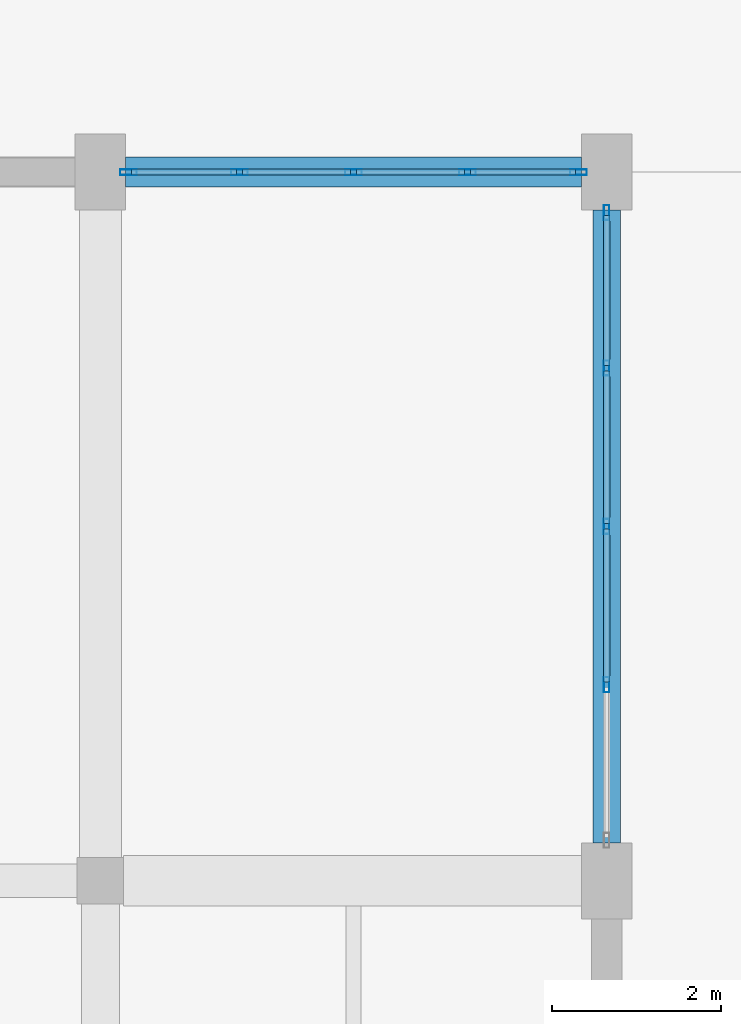
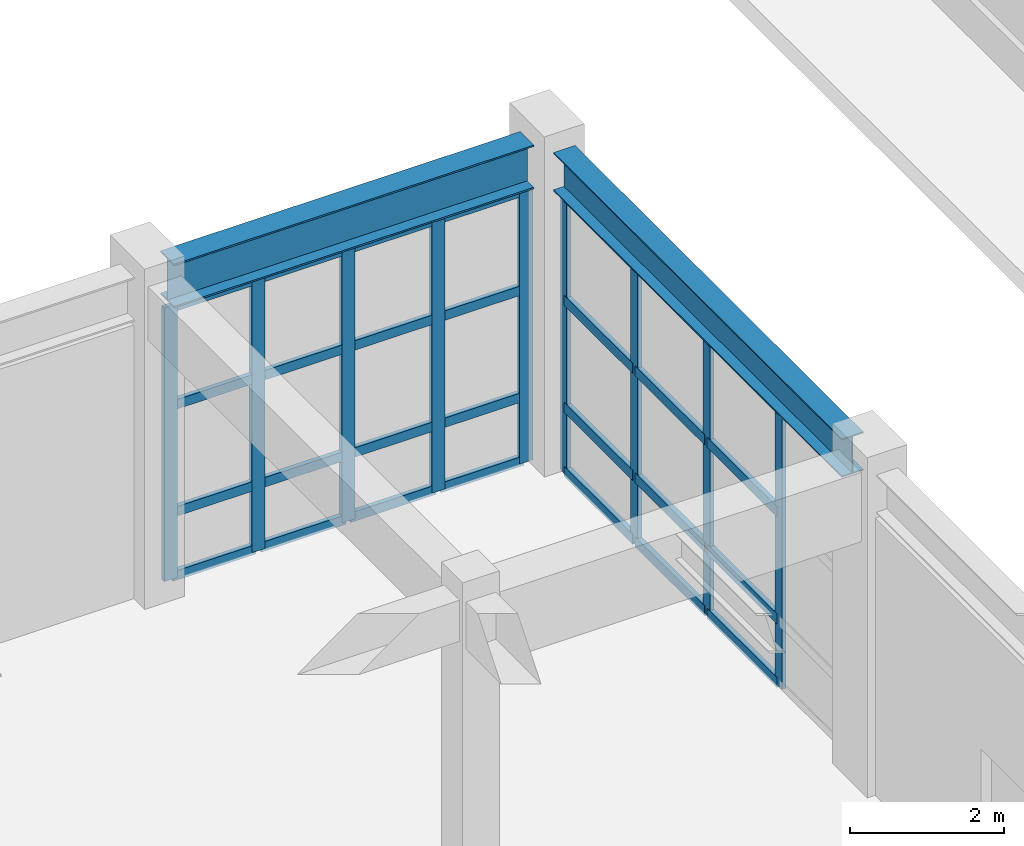
# One storey, part 42 of 91: 37 members, 2 beams, 2 elements without a shape of their own.
"""IFC4 building model written with IfcOpenShell, lengths in metres."""

import ifcopenshell
import ifcopenshell.guid

model = None  # the IFC model being written
_history = None  # IfcOwnerHistory: only IFC2X3 demands one
_inside = {}  # id of a spatial element -> (the spatial element, [elements in it])
_under = {}  # id of a project, library or spatial element -> (it, [spatial elements below it])
_declared = {}  # id of a project -> (the project, [libraries it declares])
_typed = {}  # id of a type object -> (the type object, [elements of that type])
_made_of = {}  # id of a material, layer set ... -> (it, [elements and type objects made of it])


def new_model(schema):
    """Start an empty IFC model of exactly this schema.

    Asked for "IFC4X3", IfcOpenShell would pick the latest addendum, in which some entities
    have other attributes; the version numbers below select the first issue.
    IFC2X3 requires an IfcOwnerHistory on every rooted entity: one is made here for all.
    """
    global model, _history
    if schema == "IFC4X3":
        model = ifcopenshell.file(schema_version=(4, 3, 0, 0))
    else:
        model = ifcopenshell.file(schema=schema)
    _inside.clear()
    _under.clear()
    _declared.clear()
    _typed.clear()
    _made_of.clear()
    _history = None
    if model.schema == "IFC2X3":
        org = make("IfcOrganization", Name="unknown")
        user = make(
            "IfcPersonAndOrganization",
            ThePerson=make("IfcPerson", FamilyName="unknown"),
            TheOrganization=org,
        )
        app = make(
            "IfcApplication",
            ApplicationDeveloper=org,
            Version="unknown",
            ApplicationFullName="unknown",
            ApplicationIdentifier="unknown",
        )
        _history = make(
            "IfcOwnerHistory",
            OwningUser=user,
            OwningApplication=app,
            ChangeAction="ADDED",
            CreationDate=0,
        )
    return model


def make(cls, **values):
    """One entity of the class cls with the attributes given. An attribute that is None is left unset."""
    return model.create_entity(
        cls, **{name: value for name, value in values.items() if value is not None}
    )


def rooted(cls, **values):
    """An entity with a GlobalId (a new one), such as an element, a storey or a relation."""
    return make(cls, GlobalId=ifcopenshell.guid.new(), OwnerHistory=_history, **values)


def si_unit(unit_type, name, prefix=None):
    """IfcSIUnit, for example si_unit("LENGTHUNIT", "METRE", prefix="MILLI")."""
    return make("IfcSIUnit", UnitType=unit_type, Prefix=prefix, Name=name)


def assignment(units):
    """IfcUnitAssignment: the units of a project."""
    return None if units is None else make("IfcUnitAssignment", Units=units)


def point(xyz):
    """IfcCartesianPoint."""
    return None if xyz is None else make("IfcCartesianPoint", Coordinates=xyz)


def direction(xyz):
    """IfcDirection."""
    return None if xyz is None else make("IfcDirection", DirectionRatios=xyz)


def frame(location, z_axis=None, x_axis=None):
    """IfcAxis2Placement3D, a coordinate frame: its origin and axes. An axis left out is left unset."""
    return make(
        "IfcAxis2Placement3D",
        Location=point(location),
        Axis=direction(z_axis),
        RefDirection=direction(x_axis),
    )


def frame_2d(location, x_axis=None):
    """IfcAxis2Placement2D, a coordinate frame in the plane: its origin and x axis."""
    return make(
        "IfcAxis2Placement2D", Location=point(location), RefDirection=direction(x_axis)
    )


def origin():
    """The frame at (0, 0, 0) with its axes left unset."""
    return frame((0.0, 0.0, 0.0))


def origin_2d():
    """The frame at (0, 0) in the plane with its x axis left unset."""
    return frame_2d((0.0, 0.0))


def place(relative_to, where):
    """IfcLocalPlacement: puts the frame where relative to a parent placement (None: the world)."""
    return make(
        "IfcLocalPlacement", PlacementRelTo=relative_to, RelativePlacement=where
    )


def context(
    kind, dimensions, precision=None, world=None, true_north=None, identifier=None
):
    """IfcGeometricRepresentationContext, for example the 3D "Model" context."""
    return make(
        "IfcGeometricRepresentationContext",
        ContextIdentifier=identifier,
        ContextType=kind,
        CoordinateSpaceDimension=dimensions,
        Precision=precision,
        WorldCoordinateSystem=world,
        TrueNorth=true_north,
    )


def subcontext(parent, identifier, kind, view, scale=None):
    """IfcGeometricRepresentationSubContext, for example "Body" below "Model"."""
    return make(
        "IfcGeometricRepresentationSubContext",
        ContextIdentifier=identifier,
        ContextType=kind,
        ParentContext=parent,
        TargetScale=scale,
        TargetView=view,
    )


def project(units=None, contexts=None):
    """IfcProject with its units and contexts."""
    return rooted(
        "IfcProject",
        Name="project",
        RepresentationContexts=contexts,
        UnitsInContext=assignment(units),
    )


def spatial(cls, under=None, at=None, **own):
    """A site, building, storey or space (cls), placed at a placement, below another one or the project."""
    s = rooted(cls, ObjectPlacement=at, **own)
    if under is not None:
        _under.setdefault(under.id(), (under, []))[1].append(s)
    return s


def profile(cls, at=None, kind="AREA", **sizes):
    """A parametric profile (cls). Its sizes go by their IFC names, for example OverallWidth=200.0."""
    return make(cls, ProfileType=kind, Position=at, **sizes)


def hollow_rectangle(**sizes):
    """IfcRectangleHollowProfileDef."""
    return profile("IfcRectangleHollowProfileDef", **sizes)


def i_section(**sizes):
    """IfcIShapeProfileDef."""
    return profile("IfcIShapeProfileDef", **sizes)


def extrude(swept, where, along, depth):
    """IfcExtrudedAreaSolid: the profile swept, set in the frame where, extruded along a direction by depth."""
    return make(
        "IfcExtrudedAreaSolid",
        SweptArea=swept,
        Position=where,
        ExtrudedDirection=direction(along),
        Depth=depth,
    )


def shape(context_of_items, identifier, shape_type, items):
    """IfcShapeRepresentation: the items that make up one representation, for example the "Body"."""
    return make(
        "IfcShapeRepresentation",
        ContextOfItems=context_of_items,
        RepresentationIdentifier=identifier,
        RepresentationType=shape_type,
        Items=items,
    )


def material(Name=None, Category=None):
    """IfcMaterial."""
    return make("IfcMaterial", Name=Name, Category=Category)


def layer(
    of_material, thickness, ventilated=None, Name=None, Category=None, Priority=None
):
    """IfcMaterialLayer: one layer of a wall or slab, of a material (None: an air gap)."""
    return make(
        "IfcMaterialLayer",
        Material=of_material,
        LayerThickness=thickness,
        IsVentilated=ventilated,
        Name=Name,
        Category=Category,
        Priority=Priority,
    )


def layer_set(layers, Name=None):
    """IfcMaterialLayerSet."""
    return make("IfcMaterialLayerSet", MaterialLayers=layers, LayerSetName=Name)


def material_profile(
    of_material, cross_section, Name=None, Category=None, Priority=None
):
    """IfcMaterialProfile: a cross section and its material."""
    return make(
        "IfcMaterialProfile",
        Name=Name,
        Material=of_material,
        Profile=cross_section,
        Priority=Priority,
        Category=Category,
    )


def profile_set(profiles, Name=None, composite=None):
    """IfcMaterialProfileSet."""
    return make(
        "IfcMaterialProfileSet",
        Name=Name,
        MaterialProfiles=profiles,
        CompositeProfile=composite,
    )


def made_of(thing, what):
    """Note that an element or type object is made of a material, layer set ...; save() writes the relation."""
    if what is not None:
        _made_of.setdefault(what.id(), (what, []))[1].append(thing)
    return thing


def type_object(cls, material=None, **own):
    """A type object (cls), such as IfcWallType, which elements share."""
    return made_of(rooted(cls, **own), material)


def element(
    cls,
    number,
    at=None,
    inside=None,
    cuts=None,
    type_object=None,
    material=None,
    context=None,
    identifier="Body",
    shape_type=None,
    held_by="IfcProductDefinitionShape",
    body=None,
    shapes=None,
    **own,
):
    """One element of the class cls, such as IfcWall. Its Tag is "e" and its number.

    at: its placement. inside: the storey or other place that contains it. cuts: it is an
    opening in that element (IfcRelVoidsElement). A single representation is given by context,
    identifier, shape_type and body (its items); several are given by shapes. held_by: the class
    of the entity that holds the representations. save() writes the other relations.
    """
    e = rooted(cls, Tag="e%d" % number, ObjectPlacement=at, **own)
    if body is not None:
        shapes = [shape(context, identifier, shape_type, body)]
    if shapes is not None:
        e.Representation = make(held_by, Representations=shapes)
    if inside is not None:
        _inside.setdefault(inside.id(), (inside, []))[1].append(e)
    if cuts is not None:
        rooted(
            "IfcRelVoidsElement", RelatingBuildingElement=cuts, RelatedOpeningElement=e
        )
    if type_object is not None:
        _typed.setdefault(type_object.id(), (type_object, []))[1].append(e)
    return made_of(e, material)


def aggregate(whole, parts):
    """IfcRelAggregates: a whole, such as a stair, and the parts it consists of."""
    return rooted("IfcRelAggregates", RelatingObject=whole, RelatedObjects=parts)


def save(model, path):
    """Write the relations noted so far, then the file.

    IfcRelAggregates (storeys below a building ...), IfcRelContainedInSpatialStructure (elements
    in a storey), IfcRelDefinesByType, IfcRelAssociatesMaterial and IfcRelDeclares: one each for
    every whole, place, type object, material and project.
    """
    for whole, parts in _under.values():
        aggregate(whole, parts)
    for where, things in _inside.values():
        rooted(
            "IfcRelContainedInSpatialStructure",
            RelatedElements=things,
            RelatingStructure=where,
        )
    for kind, things in _typed.values():
        rooted("IfcRelDefinesByType", RelatedObjects=things, RelatingType=kind)
    for what, things in _made_of.values():
        rooted("IfcRelAssociatesMaterial", RelatedObjects=things, RelatingMaterial=what)
    for by, libraries in _declared.values():
        rooted("IfcRelDeclares", RelatingContext=by, RelatedDefinitions=libraries)
    model.write(path)


model = new_model("IFC4")

# Units and contexts
model_context = context("Model", 3, precision=1e-05, world=origin(), true_north=direction((0.0, 1.0)))
body_context = subcontext(model_context, "Body", "Model", "MODEL_VIEW")
ifc_project = project(units=[si_unit("LENGTHUNIT", "METRE"), si_unit("AREAUNIT", "SQUARE_METRE"), si_unit("VOLUMEUNIT", "CUBIC_METRE"), si_unit("PLANEANGLEUNIT", "RADIAN"), si_unit("MASSUNIT", "GRAM", prefix="KILO")], contexts=[model_context])

# Site, building, storey
site_placement = place(None, origin())
site = spatial("IfcSite", under=ifc_project, at=site_placement, CompositionType="ELEMENT")
building_placement = place(site_placement, origin())
building = spatial("IfcBuilding", under=site, at=building_placement, Name="Vaelkrest Opera House", CompositionType="ELEMENT")
storey_placement = place(building_placement, origin())
storey = spatial("IfcBuildingStorey", under=building, at=storey_placement, Name="L00", CompositionType="ELEMENT", Elevation=0.0)

# Curtain wall, members
ifc_material_1 = material(Name="Dark bronze anodized aluminium", Category="aluminium")
ifc_layer_1 = layer(ifc_material_1, 0.219970703125)
ifc_layer_set_1 = layer_set([ifc_layer_1], Name="Dark bronze anodized aluminium")
curtain_wall_type_1 = type_object("IfcCurtainWallType", Name="CW05", PredefinedType="NOTDEFINED", material=ifc_layer_set_1)
curtain_wall_1_placement = place(storey_placement, origin())
curtain_wall_1 = element("IfcCurtainWall", 1, at=curtain_wall_1_placement, inside=storey, type_object=curtain_wall_type_1, Name="Curtain wall CW-L00-096", PredefinedType="NOTDEFINED")
ifc_material_profile_1 = material_profile(ifc_material_1, hollow_rectangle(XDim=0.06494140625, YDim=0.179931640625, WallThickness=0.00390625, at=origin_2d()), Name="CWM65X180")
ifc_profile_set_1 = profile_set([ifc_material_profile_1], Name="Dark bronze anodized aluminium")
member_type_1 = type_object("IfcMemberType", Name="CWM01", PredefinedType="MULLION", material=ifc_profile_set_1)
member_1_placement = place(storey_placement, frame((-33.60009765625, 41.51953125, 0.0), z_axis=(0.0, 0.0, 1.0), x_axis=(1.0, 0.0, 0.0)))
member_1 = element("IfcMember", 2, at=member_1_placement, type_object=member_type_1, Name="CW05 mullion 1", PredefinedType="MULLION", context=body_context, shape_type="SweptSolid", body=[
    extrude(hollow_rectangle(XDim=0.06494140625, YDim=0.179931640625, WallThickness=0.00390625, at=origin_2d()), origin(), (0.0, 0.0, 1.0), 4.428955078125),
])
member_2_placement = place(storey_placement, frame((-33.60009765625, 39.676025390625, 0.0), z_axis=(0.0, 0.0, 1.0), x_axis=(1.0, 0.0, 0.0)))
member_2 = element("IfcMember", 3, at=member_2_placement, type_object=member_type_1, Name="CW05 mullion 2", PredefinedType="MULLION", context=body_context, shape_type="SweptSolid", body=[
    extrude(hollow_rectangle(XDim=0.06494140625, YDim=0.179931640625, WallThickness=0.00390625, at=origin_2d()), origin(), (0.0, 0.0, 1.0), 4.428955078125),
])
member_3_placement = place(storey_placement, frame((-33.60009765625, 37.800048828125, 0.0), z_axis=(0.0, 0.0, 1.0), x_axis=(1.0, 0.0, 0.0)))
member_3 = element("IfcMember", 4, at=member_3_placement, type_object=member_type_1, Name="CW05 mullion 3", PredefinedType="MULLION", context=body_context, shape_type="SweptSolid", body=[
    extrude(hollow_rectangle(XDim=0.06494140625, YDim=0.179931640625, WallThickness=0.00390625, at=origin_2d()), origin(), (0.0, 0.0, 1.0), 4.428955078125),
])
member_4_placement = place(storey_placement, frame((-33.60009765625, 35.924072265625, 0.0), z_axis=(0.0, 0.0, 1.0), x_axis=(1.0, 0.0, 0.0)))
member_4 = element("IfcMember", 5, at=member_4_placement, type_object=member_type_1, Name="CW05 mullion 4", PredefinedType="MULLION", context=body_context, shape_type="SweptSolid", body=[
    extrude(hollow_rectangle(XDim=0.06494140625, YDim=0.179931640625, WallThickness=0.00390625, at=origin_2d()), origin(), (0.0, 0.0, 1.0), 4.428955078125),
])

ifc_layer_2 = layer(ifc_material_1, 0.18994140625)
ifc_layer_set_2 = layer_set([ifc_layer_2], Name="Dark bronze anodized aluminium")
curtain_wall_type_2 = type_object("IfcCurtainWallType", Name="CW02", PredefinedType="NOTDEFINED", material=ifc_layer_set_2)
curtain_wall_2_placement = place(storey_placement, origin())
curtain_wall_2 = element("IfcCurtainWall", 6, at=curtain_wall_2_placement, inside=storey, type_object=curtain_wall_type_2, Name="Curtain wall CW-L00-095", PredefinedType="NOTDEFINED")
ifc_material_profile_2 = material_profile(ifc_material_1, hollow_rectangle(XDim=0.070068359375, YDim=0.199951171875, WallThickness=0.004150390625, at=origin_2d()), Name="CWM70X200")
ifc_profile_set_2 = profile_set([ifc_material_profile_2], Name="Dark bronze anodized aluminium")
member_type_2 = type_object("IfcMemberType", Name="CWM02", PredefinedType="MULLION", material=ifc_profile_set_2)
member_5_placement = place(storey_placement, frame((-39.26708984375, 42.0, 0.0), z_axis=(0.0, 0.0, 1.0), x_axis=(0.0, 1.0, 0.0)))
member_5 = element("IfcMember", 7, at=member_5_placement, type_object=member_type_2, Name="CW02 mullion 1", PredefinedType="MULLION", context=body_context, shape_type="SweptSolid", body=[
    extrude(hollow_rectangle(XDim=0.070068359375, YDim=0.199951171875, WallThickness=0.004150390625, at=origin_2d()), origin(), (0.0, 0.0, 1.0), 4.344970703125),
])
member_6_placement = place(storey_placement, frame((-37.950927734375, 42.0, 0.0), z_axis=(0.0, 0.0, 1.0), x_axis=(0.0, 1.0, 0.0)))
member_6 = element("IfcMember", 8, at=member_6_placement, type_object=member_type_2, Name="CW02 mullion 2", PredefinedType="MULLION", context=body_context, shape_type="SweptSolid", body=[
    extrude(hollow_rectangle(XDim=0.070068359375, YDim=0.199951171875, WallThickness=0.004150390625, at=origin_2d()), origin(), (0.0, 0.0, 1.0), 4.344970703125),
])
member_7_placement = place(storey_placement, frame((-36.60009765625, 42.0, 0.0), z_axis=(0.0, 0.0, 1.0), x_axis=(0.0, 1.0, 0.0)))
member_7 = element("IfcMember", 9, at=member_7_placement, type_object=member_type_2, Name="CW02 mullion 3", PredefinedType="MULLION", context=body_context, shape_type="SweptSolid", body=[
    extrude(hollow_rectangle(XDim=0.070068359375, YDim=0.199951171875, WallThickness=0.004150390625, at=origin_2d()), origin(), (0.0, 0.0, 1.0), 4.344970703125),
])
member_8_placement = place(storey_placement, frame((-35.2490234375, 42.0, 0.0), z_axis=(0.0, 0.0, 1.0), x_axis=(0.0, 1.0, 0.0)))
member_8 = element("IfcMember", 10, at=member_8_placement, type_object=member_type_2, Name="CW02 mullion 4", PredefinedType="MULLION", context=body_context, shape_type="SweptSolid", body=[
    extrude(hollow_rectangle(XDim=0.070068359375, YDim=0.199951171875, WallThickness=0.004150390625, at=origin_2d()), origin(), (0.0, 0.0, 1.0), 4.344970703125),
])
member_9_placement = place(storey_placement, frame((-33.93310546875, 42.0, 0.0), z_axis=(0.0, 0.0, 1.0), x_axis=(0.0, 1.0, 0.0)))
member_9 = element("IfcMember", 11, at=member_9_placement, type_object=member_type_2, Name="CW02 mullion 5", PredefinedType="MULLION", context=body_context, shape_type="SweptSolid", body=[
    extrude(hollow_rectangle(XDim=0.070068359375, YDim=0.199951171875, WallThickness=0.004150390625, at=origin_2d()), origin(), (0.0, 0.0, 1.0), 4.344970703125),
])
ifc_material_profile_3 = material_profile(ifc_material_1, hollow_rectangle(XDim=0.070068359375, YDim=0.14990234375, WallThickness=0.004150390625, at=origin_2d()), Name="CWT70X150")
ifc_profile_set_3 = profile_set([ifc_material_profile_3], Name="Dark bronze anodized aluminium")
member_type_3 = type_object("IfcMemberType", Name="CWT02", PredefinedType="USERDEFINED", material=ifc_profile_set_3)
member_10_placement = place(storey_placement, frame((-39.23193359375, 42.0, 0.034912109375), z_axis=(1.0, 0.0, 0.0), x_axis=(0.0, 1.0, 0.0)))
member_10 = element("IfcMember", 12, at=member_10_placement, type_object=member_type_3, Name="CW02 transom 1.1", ObjectType="TRANSOM", PredefinedType="USERDEFINED", context=body_context, shape_type="SweptSolid", body=[
    extrude(hollow_rectangle(XDim=0.070068359375, YDim=0.14990234375, WallThickness=0.004150390625, at=origin_2d()), origin(), (0.0, 0.0, 1.0), 1.245849609375),
])
member_11_placement = place(storey_placement, frame((-39.23193359375, 42.0, 1.050048828125), z_axis=(1.0, 0.0, 0.0), x_axis=(0.0, 1.0, 0.0)))
member_11 = element("IfcMember", 13, at=member_11_placement, type_object=member_type_3, Name="CW02 transom 1.2", ObjectType="TRANSOM", PredefinedType="USERDEFINED", context=body_context, shape_type="SweptSolid", body=[
    extrude(hollow_rectangle(XDim=0.070068359375, YDim=0.14990234375, WallThickness=0.004150390625, at=origin_2d()), origin(), (0.0, 0.0, 1.0), 1.245849609375),
])
member_12_placement = place(storey_placement, frame((-39.23193359375, 42.0, 2.75), z_axis=(1.0, 0.0, 0.0), x_axis=(0.0, 1.0, 0.0)))
member_12 = element("IfcMember", 14, at=member_12_placement, type_object=member_type_3, Name="CW02 transom 1.3", ObjectType="TRANSOM", PredefinedType="USERDEFINED", context=body_context, shape_type="SweptSolid", body=[
    extrude(hollow_rectangle(XDim=0.070068359375, YDim=0.14990234375, WallThickness=0.004150390625, at=origin_2d()), origin(), (0.0, 0.0, 1.0), 1.245849609375),
])
member_13_placement = place(storey_placement, frame((-39.23193359375, 42.0, 4.31005859375), z_axis=(1.0, 0.0, 0.0), x_axis=(0.0, 1.0, 0.0)))
member_13 = element("IfcMember", 15, at=member_13_placement, type_object=member_type_3, Name="CW02 transom 1.4", ObjectType="TRANSOM", PredefinedType="USERDEFINED", context=body_context, shape_type="SweptSolid", body=[
    extrude(hollow_rectangle(XDim=0.070068359375, YDim=0.14990234375, WallThickness=0.004150390625, at=origin_2d()), origin(), (0.0, 0.0, 1.0), 1.245849609375),
])
member_14_placement = place(storey_placement, frame((-37.916015625, 42.0, 0.034912109375), z_axis=(1.0, 0.0, 0.0), x_axis=(0.0, 1.0, 0.0)))
member_14 = element("IfcMember", 16, at=member_14_placement, type_object=member_type_3, Name="CW02 transom 2.1", ObjectType="TRANSOM", PredefinedType="USERDEFINED", context=body_context, shape_type="SweptSolid", body=[
    extrude(hollow_rectangle(XDim=0.070068359375, YDim=0.14990234375, WallThickness=0.004150390625, at=origin_2d()), origin(), (0.0, 0.0, 1.0), 1.281005859375),
])
member_15_placement = place(storey_placement, frame((-37.916015625, 42.0, 1.050048828125), z_axis=(1.0, 0.0, 0.0), x_axis=(0.0, 1.0, 0.0)))
member_15 = element("IfcMember", 17, at=member_15_placement, type_object=member_type_3, Name="CW02 transom 2.2", ObjectType="TRANSOM", PredefinedType="USERDEFINED", context=body_context, shape_type="SweptSolid", body=[
    extrude(hollow_rectangle(XDim=0.070068359375, YDim=0.14990234375, WallThickness=0.004150390625, at=origin_2d()), origin(), (0.0, 0.0, 1.0), 1.281005859375),
])
member_16_placement = place(storey_placement, frame((-37.916015625, 42.0, 2.75), z_axis=(1.0, 0.0, 0.0), x_axis=(0.0, 1.0, 0.0)))
member_16 = element("IfcMember", 18, at=member_16_placement, type_object=member_type_3, Name="CW02 transom 2.3", ObjectType="TRANSOM", PredefinedType="USERDEFINED", context=body_context, shape_type="SweptSolid", body=[
    extrude(hollow_rectangle(XDim=0.070068359375, YDim=0.14990234375, WallThickness=0.004150390625, at=origin_2d()), origin(), (0.0, 0.0, 1.0), 1.281005859375),
])
member_17_placement = place(storey_placement, frame((-37.916015625, 42.0, 4.31005859375), z_axis=(1.0, 0.0, 0.0), x_axis=(0.0, 1.0, 0.0)))
member_17 = element("IfcMember", 19, at=member_17_placement, type_object=member_type_3, Name="CW02 transom 2.4", ObjectType="TRANSOM", PredefinedType="USERDEFINED", context=body_context, shape_type="SweptSolid", body=[
    extrude(hollow_rectangle(XDim=0.070068359375, YDim=0.14990234375, WallThickness=0.004150390625, at=origin_2d()), origin(), (0.0, 0.0, 1.0), 1.281005859375),
])
member_18_placement = place(storey_placement, frame((-36.56494140625, 42.0, 0.034912109375), z_axis=(1.0, 0.0, 0.0), x_axis=(0.0, 1.0, 0.0)))
member_18 = element("IfcMember", 20, at=member_18_placement, type_object=member_type_3, Name="CW02 transom 3.1", ObjectType="TRANSOM", PredefinedType="USERDEFINED", context=body_context, shape_type="SweptSolid", body=[
    extrude(hollow_rectangle(XDim=0.070068359375, YDim=0.14990234375, WallThickness=0.004150390625, at=origin_2d()), origin(), (0.0, 0.0, 1.0), 1.281005859375),
])
member_19_placement = place(storey_placement, frame((-36.56494140625, 42.0, 1.050048828125), z_axis=(1.0, 0.0, 0.0), x_axis=(0.0, 1.0, 0.0)))
member_19 = element("IfcMember", 21, at=member_19_placement, type_object=member_type_3, Name="CW02 transom 3.2", ObjectType="TRANSOM", PredefinedType="USERDEFINED", context=body_context, shape_type="SweptSolid", body=[
    extrude(hollow_rectangle(XDim=0.070068359375, YDim=0.14990234375, WallThickness=0.004150390625, at=origin_2d()), origin(), (0.0, 0.0, 1.0), 1.281005859375),
])
member_20_placement = place(storey_placement, frame((-36.56494140625, 42.0, 2.75), z_axis=(1.0, 0.0, 0.0), x_axis=(0.0, 1.0, 0.0)))
member_20 = element("IfcMember", 22, at=member_20_placement, type_object=member_type_3, Name="CW02 transom 3.3", ObjectType="TRANSOM", PredefinedType="USERDEFINED", context=body_context, shape_type="SweptSolid", body=[
    extrude(hollow_rectangle(XDim=0.070068359375, YDim=0.14990234375, WallThickness=0.004150390625, at=origin_2d()), origin(), (0.0, 0.0, 1.0), 1.281005859375),
])
member_21_placement = place(storey_placement, frame((-36.56494140625, 42.0, 4.31005859375), z_axis=(1.0, 0.0, 0.0), x_axis=(0.0, 1.0, 0.0)))
member_21 = element("IfcMember", 23, at=member_21_placement, type_object=member_type_3, Name="CW02 transom 3.4", ObjectType="TRANSOM", PredefinedType="USERDEFINED", context=body_context, shape_type="SweptSolid", body=[
    extrude(hollow_rectangle(XDim=0.070068359375, YDim=0.14990234375, WallThickness=0.004150390625, at=origin_2d()), origin(), (0.0, 0.0, 1.0), 1.281005859375),
])
member_22_placement = place(storey_placement, frame((-35.214111328125, 42.0, 0.034912109375), z_axis=(1.0, 0.0, 0.0), x_axis=(0.0, 1.0, 0.0)))
member_22 = element("IfcMember", 24, at=member_22_placement, type_object=member_type_3, Name="CW02 transom 4.1", ObjectType="TRANSOM", PredefinedType="USERDEFINED", context=body_context, shape_type="SweptSolid", body=[
    extrude(hollow_rectangle(XDim=0.070068359375, YDim=0.14990234375, WallThickness=0.004150390625, at=origin_2d()), origin(), (0.0, 0.0, 1.0), 1.24609375),
])
member_23_placement = place(storey_placement, frame((-35.214111328125, 42.0, 1.050048828125), z_axis=(1.0, 0.0, 0.0), x_axis=(0.0, 1.0, 0.0)))
member_23 = element("IfcMember", 25, at=member_23_placement, type_object=member_type_3, Name="CW02 transom 4.2", ObjectType="TRANSOM", PredefinedType="USERDEFINED", context=body_context, shape_type="SweptSolid", body=[
    extrude(hollow_rectangle(XDim=0.070068359375, YDim=0.14990234375, WallThickness=0.004150390625, at=origin_2d()), origin(), (0.0, 0.0, 1.0), 1.24609375),
])
member_24_placement = place(storey_placement, frame((-35.214111328125, 42.0, 2.75), z_axis=(1.0, 0.0, 0.0), x_axis=(0.0, 1.0, 0.0)))
member_24 = element("IfcMember", 26, at=member_24_placement, type_object=member_type_3, Name="CW02 transom 4.3", ObjectType="TRANSOM", PredefinedType="USERDEFINED", context=body_context, shape_type="SweptSolid", body=[
    extrude(hollow_rectangle(XDim=0.070068359375, YDim=0.14990234375, WallThickness=0.004150390625, at=origin_2d()), origin(), (0.0, 0.0, 1.0), 1.24609375),
])
member_25_placement = place(storey_placement, frame((-35.214111328125, 42.0, 4.31005859375), z_axis=(1.0, 0.0, 0.0), x_axis=(0.0, 1.0, 0.0)))
member_25 = element("IfcMember", 27, at=member_25_placement, type_object=member_type_3, Name="CW02 transom 4.4", ObjectType="TRANSOM", PredefinedType="USERDEFINED", context=body_context, shape_type="SweptSolid", body=[
    extrude(hollow_rectangle(XDim=0.070068359375, YDim=0.14990234375, WallThickness=0.004150390625, at=origin_2d()), origin(), (0.0, 0.0, 1.0), 1.24609375),
])
aggregate(curtain_wall_2, [member_5, member_6, member_7, member_8, member_9, member_10, member_11, member_12, member_13, member_14, member_15, member_16, member_17, member_18, member_19, member_20, member_21, member_22, member_23, member_24, member_25])

# Member
ifc_material_profile_4 = material_profile(ifc_material_1, hollow_rectangle(XDim=0.074951171875, YDim=0.159912109375, WallThickness=0.00439453125, at=origin_2d()), Name="CWT75X160")
ifc_profile_set_4 = profile_set([ifc_material_profile_4], Name="Dark bronze anodized aluminium")
member_type_4 = type_object("IfcMemberType", Name="CWT03", PredefinedType="USERDEFINED", material=ifc_profile_set_4)
member_26_placement = place(storey_placement, frame((-33.60009765625, 41.487060546875, 0.03759765625), z_axis=(0.0, -1.0, 0.0), x_axis=(1.0, 0.0, 0.0)))
member_26 = element("IfcMember", 28, at=member_26_placement, type_object=member_type_4, Name="CW05 transom 1.1", ObjectType="TRANSOM", PredefinedType="USERDEFINED", context=body_context, shape_type="SweptSolid", body=[
    extrude(hollow_rectangle(XDim=0.074951171875, YDim=0.159912109375, WallThickness=0.00439453125, at=origin_2d()), origin(), (0.0, 0.0, 1.0), 1.778564453125),
])

member_27_placement = place(storey_placement, frame((-33.60009765625, 41.487060546875, 1.050048828125), z_axis=(0.0, -1.0, 0.0), x_axis=(1.0, 0.0, 0.0)))
member_27 = element("IfcMember", 29, at=member_27_placement, type_object=member_type_4, Name="CW05 transom 1.2", ObjectType="TRANSOM", PredefinedType="USERDEFINED", context=body_context, shape_type="SweptSolid", body=[
    extrude(hollow_rectangle(XDim=0.074951171875, YDim=0.159912109375, WallThickness=0.00439453125, at=origin_2d()), origin(), (0.0, 0.0, 1.0), 1.778564453125),
])

member_28_placement = place(storey_placement, frame((-33.60009765625, 41.487060546875, 2.75), z_axis=(0.0, -1.0, 0.0), x_axis=(1.0, 0.0, 0.0)))
member_28 = element("IfcMember", 30, at=member_28_placement, type_object=member_type_4, Name="CW05 transom 1.3", ObjectType="TRANSOM", PredefinedType="USERDEFINED", context=body_context, shape_type="SweptSolid", body=[
    extrude(hollow_rectangle(XDim=0.074951171875, YDim=0.159912109375, WallThickness=0.00439453125, at=origin_2d()), origin(), (0.0, 0.0, 1.0), 1.778564453125),
])

member_29_placement = place(storey_placement, frame((-33.60009765625, 41.487060546875, 4.3916015625), z_axis=(0.0, -1.0, 0.0), x_axis=(1.0, 0.0, 0.0)))
member_29 = element("IfcMember", 31, at=member_29_placement, type_object=member_type_4, Name="CW05 transom 1.4", ObjectType="TRANSOM", PredefinedType="USERDEFINED", context=body_context, shape_type="SweptSolid", body=[
    extrude(hollow_rectangle(XDim=0.074951171875, YDim=0.159912109375, WallThickness=0.00439453125, at=origin_2d()), origin(), (0.0, 0.0, 1.0), 1.778564453125),
])

member_30_placement = place(storey_placement, frame((-33.60009765625, 39.6435546875, 0.03759765625), z_axis=(0.0, -1.0, 0.0), x_axis=(1.0, 0.0, 0.0)))
member_30 = element("IfcMember", 32, at=member_30_placement, type_object=member_type_4, Name="CW05 transom 2.1", ObjectType="TRANSOM", PredefinedType="USERDEFINED", context=body_context, shape_type="SweptSolid", body=[
    extrude(hollow_rectangle(XDim=0.074951171875, YDim=0.159912109375, WallThickness=0.00439453125, at=origin_2d()), origin(), (0.0, 0.0, 1.0), 1.81103515625),
])

member_31_placement = place(storey_placement, frame((-33.60009765625, 39.6435546875, 1.050048828125), z_axis=(0.0, -1.0, 0.0), x_axis=(1.0, 0.0, 0.0)))
member_31 = element("IfcMember", 33, at=member_31_placement, type_object=member_type_4, Name="CW05 transom 2.2", ObjectType="TRANSOM", PredefinedType="USERDEFINED", context=body_context, shape_type="SweptSolid", body=[
    extrude(hollow_rectangle(XDim=0.074951171875, YDim=0.159912109375, WallThickness=0.00439453125, at=origin_2d()), origin(), (0.0, 0.0, 1.0), 1.81103515625),
])

member_32_placement = place(storey_placement, frame((-33.60009765625, 39.6435546875, 2.75), z_axis=(0.0, -1.0, 0.0), x_axis=(1.0, 0.0, 0.0)))
member_32 = element("IfcMember", 34, at=member_32_placement, type_object=member_type_4, Name="CW05 transom 2.3", ObjectType="TRANSOM", PredefinedType="USERDEFINED", context=body_context, shape_type="SweptSolid", body=[
    extrude(hollow_rectangle(XDim=0.074951171875, YDim=0.159912109375, WallThickness=0.00439453125, at=origin_2d()), origin(), (0.0, 0.0, 1.0), 1.81103515625),
])

member_33_placement = place(storey_placement, frame((-33.60009765625, 39.6435546875, 4.3916015625), z_axis=(0.0, -1.0, 0.0), x_axis=(1.0, 0.0, 0.0)))
member_33 = element("IfcMember", 35, at=member_33_placement, type_object=member_type_4, Name="CW05 transom 2.4", ObjectType="TRANSOM", PredefinedType="USERDEFINED", context=body_context, shape_type="SweptSolid", body=[
    extrude(hollow_rectangle(XDim=0.074951171875, YDim=0.159912109375, WallThickness=0.00439453125, at=origin_2d()), origin(), (0.0, 0.0, 1.0), 1.81103515625),
])

member_34_placement = place(storey_placement, frame((-33.60009765625, 37.767578125, 0.03759765625), z_axis=(0.0, -1.0, 0.0), x_axis=(1.0, 0.0, 0.0)))
member_34 = element("IfcMember", 36, at=member_34_placement, type_object=member_type_4, Name="CW05 transom 3.1", ObjectType="TRANSOM", PredefinedType="USERDEFINED", context=body_context, shape_type="SweptSolid", body=[
    extrude(hollow_rectangle(XDim=0.074951171875, YDim=0.159912109375, WallThickness=0.00439453125, at=origin_2d()), origin(), (0.0, 0.0, 1.0), 1.81103515625),
])

member_35_placement = place(storey_placement, frame((-33.60009765625, 37.767578125, 1.050048828125), z_axis=(0.0, -1.0, 0.0), x_axis=(1.0, 0.0, 0.0)))
member_35 = element("IfcMember", 37, at=member_35_placement, type_object=member_type_4, Name="CW05 transom 3.2", ObjectType="TRANSOM", PredefinedType="USERDEFINED", context=body_context, shape_type="SweptSolid", body=[
    extrude(hollow_rectangle(XDim=0.074951171875, YDim=0.159912109375, WallThickness=0.00439453125, at=origin_2d()), origin(), (0.0, 0.0, 1.0), 1.81103515625),
])

member_36_placement = place(storey_placement, frame((-33.60009765625, 37.767578125, 2.75), z_axis=(0.0, -1.0, 0.0), x_axis=(1.0, 0.0, 0.0)))
member_36 = element("IfcMember", 38, at=member_36_placement, type_object=member_type_4, Name="CW05 transom 3.3", ObjectType="TRANSOM", PredefinedType="USERDEFINED", context=body_context, shape_type="SweptSolid", body=[
    extrude(hollow_rectangle(XDim=0.074951171875, YDim=0.159912109375, WallThickness=0.00439453125, at=origin_2d()), origin(), (0.0, 0.0, 1.0), 1.81103515625),
])

member_37_placement = place(storey_placement, frame((-33.60009765625, 37.767578125, 4.3916015625), z_axis=(0.0, -1.0, 0.0), x_axis=(1.0, 0.0, 0.0)))
member_37 = element("IfcMember", 39, at=member_37_placement, type_object=member_type_4, Name="CW05 transom 3.4", ObjectType="TRANSOM", PredefinedType="USERDEFINED", context=body_context, shape_type="SweptSolid", body=[
    extrude(hollow_rectangle(XDim=0.074951171875, YDim=0.159912109375, WallThickness=0.00439453125, at=origin_2d()), origin(), (0.0, 0.0, 1.0), 1.81103515625),
])

aggregate(curtain_wall_1, [member_1, member_2, member_3, member_4, member_26, member_27, member_28, member_29, member_30, member_31, member_32, member_33, member_34, member_35, member_36, member_37])

# Beams
ifc_material_2 = material(Name="Steel A992 Gr50", Category="steel")
ifc_material_profile_5 = material_profile(ifc_material_2, i_section(OverallWidth=0.323974609375, OverallDepth=0.611083984375, WebThickness=0.0126953125, FlangeThickness=0.01904296875, at=origin_2d()), Name="W24X104")
ifc_profile_set_5 = profile_set([ifc_material_profile_5], Name="Steel A992 Gr50")
beam_type_1 = type_object("IfcBeamType", Name="SP01", PredefinedType="SPANDREL", material=ifc_profile_set_5)
beam_1_placement = place(storey_placement, frame((-33.60009765625, 34.050048828125, 4.799560546875), z_axis=(0.0, 1.0, 0.0), x_axis=(-1.0, 0.0, 0.0)))
element("IfcBeam", 40, at=beam_1_placement, inside=storey, type_object=beam_type_1, Name="Beam BM-V3-L00-1479", PredefinedType="SPANDREL", context=body_context, shape_type="SweptSolid", body=[
    extrude(i_section(OverallWidth=0.323974609375, OverallDepth=0.611083984375, WebThickness=0.0126953125, FlangeThickness=0.01904296875, at=origin_2d()), origin(), (0.0, 0.0, 1.0), 7.5),
])
ifc_material_profile_6 = material_profile(ifc_material_2, i_section(OverallWidth=0.35498046875, OverallDepth=0.695068359375, WebThickness=0.015380859375, FlangeThickness=0.02490234375, at=origin_2d()), Name="W27X146")
ifc_profile_set_6 = profile_set([ifc_material_profile_6], Name="Steel A992 Gr50")
beam_type_2 = type_object("IfcBeamType", Name="SP02", PredefinedType="SPANDREL", material=ifc_profile_set_6)
beam_2_placement = place(storey_placement, frame((-39.300048828125, 42.0, 4.757568359375), z_axis=(1.0, 0.0, 0.0), x_axis=(0.0, 1.0, 0.0)))
element("IfcBeam", 41, at=beam_2_placement, inside=storey, type_object=beam_type_2, Name="Beam BM-V3-L00-1429", PredefinedType="SPANDREL", context=body_context, shape_type="SweptSolid", body=[
    extrude(i_section(OverallWidth=0.35498046875, OverallDepth=0.695068359375, WebThickness=0.015380859375, FlangeThickness=0.02490234375, at=origin_2d()), origin(), (0.0, 0.0, 1.0), 5.400146484375),
])

save(model, "model.ifc")
